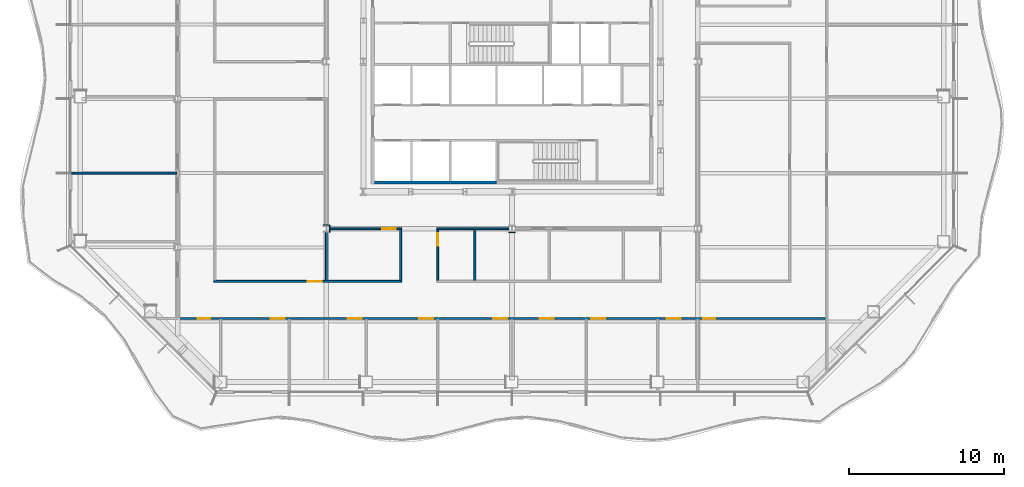
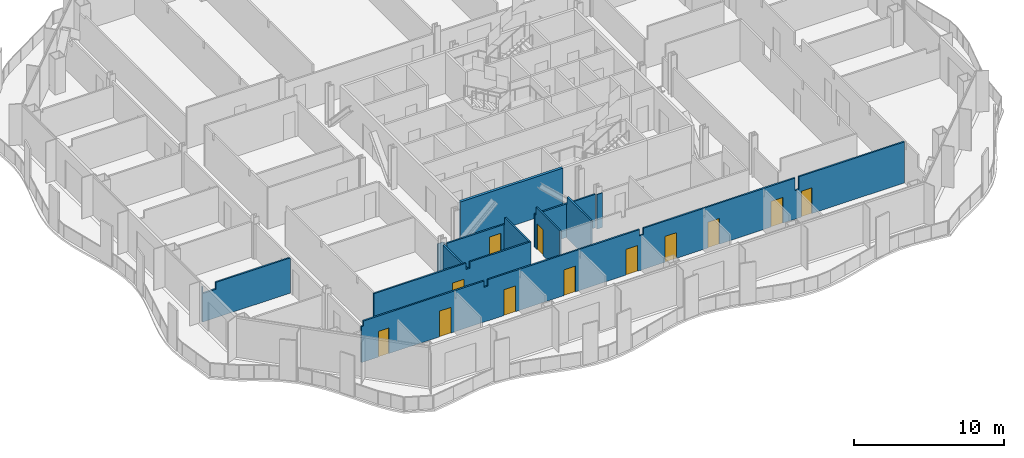
# One storey, part 8 of 23: 13 walls, 12 doors, 12 openings.
"""IFC4 building model written with IfcOpenShell, lengths in metres."""

from ifc_helpers import new_model, si_unit, direction, frame, frame_2d, origin, place, context, subcontext, project, spatial, polyline, rectangle, outline, extrude, material, layer, layer_set, type_object, element, fill, save


model = new_model("IFC4")

# Units and contexts
model_context = context("Model", 3, precision=1e-05, world=origin(), true_north=direction((0.0, 1.0)))
body_context = subcontext(model_context, "Body", "Model", "MODEL_VIEW")
ifc_project = project(units=[si_unit("LENGTHUNIT", "METRE"), si_unit("AREAUNIT", "SQUARE_METRE"), si_unit("VOLUMEUNIT", "CUBIC_METRE"), si_unit("PLANEANGLEUNIT", "RADIAN"), si_unit("MASSUNIT", "GRAM", prefix="KILO")], contexts=[model_context])

# Site, building, storey
site_placement = place(None, origin())
site = spatial("IfcSite", under=ifc_project, at=site_placement, CompositionType="ELEMENT")
building_placement = place(site_placement, origin())
building = spatial("IfcBuilding", under=site, at=building_placement, Name="Cairn Pilgrim Tower", CompositionType="ELEMENT")
storey_placement = place(building_placement, frame((0.0, 0.0, 115.800048828125)))
storey = spatial("IfcBuildingStorey", under=building, at=storey_placement, Name="L28", CompositionType="ELEMENT", Elevation=115.800048828125)

# Wall
ifc_material_1 = material(Name="Concrete C32/40", Category="concrete")
ifc_layer_1 = layer(ifc_material_1, 0.199951171875)
ifc_layer_set_1 = layer_set([ifc_layer_1], Name="CORE OUTER WALL 200 EI 120")
wall_type_1 = type_object("IfcWallType", Name="CORE OUTER WALL 200 EI 120", PredefinedType="SOLIDWALL", material=ifc_layer_set_1)
wall_1_placement = place(storey_placement, frame((-1.699951171875, -5.39990234375, 0.0), z_axis=(0.0, 0.0, 1.0), x_axis=(1.0, 0.0, 0.0)))
element("IfcWall", 1, at=wall_1_placement, inside=storey, type_object=wall_type_1, Name="CW:L28:H01-1", PredefinedType="SOLIDWALL", context=body_context, shape_type="SweptSolid", body=[
    extrude(rectangle(XDim=7.89990234375, YDim=0.199951171875, at=frame_2d((3.949951171875, 0.0))), origin(), (0.0, 0.0, 1.0), 3.349853515625),
])

# Wall, openings, doors
ifc_material_2 = material(Name="Gypsum partition")
ifc_layer_2 = layer(ifc_material_2, 0.125)
ifc_layer_set_2 = layer_set([ifc_layer_2], Name="PARTITION 125 DRYWALL EI 60")
wall_type_2 = type_object("IfcWallType", Name="PARTITION 125 DRYWALL EI 60", PredefinedType="PARTITIONING", material=ifc_layer_set_2)
wall_2_placement = place(storey_placement, frame((-14.39990234375, -14.199951171875, 0.0), z_axis=(0.0, 0.0, 1.0), x_axis=(1.0, 0.0, 0.0)))
wall_2 = element("IfcWall", 2, at=wall_2_placement, inside=storey, type_object=wall_type_2, Name="PARTITION W015", PredefinedType="PARTITIONING", context=body_context, shape_type="SweptSolid", body=[
    extrude(outline(polyline([(0.0, 0.0), (41.887451171875, 0.0), (41.887451171875, 3.349853515625), (33.7509765625, 3.349853515625), (33.7490234375, 2.322021484375), (33.448974609375, 2.322021484375), (33.447021484375, 3.349853515625), (21.75, 3.349853515625), (21.748046875, 2.829833984375), (21.449951171875, 2.829833984375), (21.447998046875, 3.349853515625), (9.75, 3.349853515625), (9.748046875, 2.829833984375), (9.449951171875, 2.829833984375), (9.447998046875, 3.349853515625), (0.14990234375, 3.349853515625), (0.14794921875, 2.929931640625), (0.0, 2.929931640625), (0.0, 0.0)])), frame((0.0, 0.0625, 0.0), z_axis=(0.0, -1.0, 0.0), x_axis=(1.0, 0.0, 0.0)), (0.0, 0.0, 1.0), 0.125),
])
opening_1_placement = place(wall_2_placement, frame((1.300048828125, 0.0, 0.0)))
opening_1 = element("IfcOpeningElement", 3, at=opening_1_placement, cuts=wall_2, Name="Opening 2801", PredefinedType="OPENING", context=body_context, shape_type="SweptSolid", body=[
    extrude(rectangle(XDim=0.800048828125, YDim=2.10009765625, at=frame_2d((0.39990234375, 1.050048828125))), frame((0.0, 0.072509765625, 0.0), z_axis=(0.0, -1.0, 0.0), x_axis=(1.0, 0.0, 0.0)), (0.0, 0.0, 1.0), 0.14501953125),
])
opening_2_placement = place(wall_2_placement, frame((6.0, 0.0, 0.0)))
opening_2 = element("IfcOpeningElement", 4, at=opening_2_placement, cuts=wall_2, Name="Opening 2802", PredefinedType="OPENING", context=body_context, shape_type="SweptSolid", body=[
    extrude(rectangle(XDim=0.89990234375, YDim=2.10009765625, at=frame_2d((0.449951171875, 1.050048828125))), frame((0.0, 0.072509765625, 0.0), z_axis=(0.0, -1.0, 0.0), x_axis=(1.0, 0.0, 0.0)), (0.0, 0.0, 1.0), 0.14501953125),
])
opening_3_placement = place(wall_2_placement, frame((10.986083984375, 0.0, 0.0)))
opening_3 = element("IfcOpeningElement", 5, at=opening_3_placement, cuts=wall_2, Name="Opening 2803", PredefinedType="OPENING", context=body_context, shape_type="SweptSolid", body=[
    extrude(rectangle(XDim=0.89990234375, YDim=2.10009765625, at=frame_2d((0.449951171875, 1.050048828125))), frame((0.0, 0.072509765625, 0.0), z_axis=(0.0, -1.0, 0.0), x_axis=(1.0, 0.0, 0.0)), (0.0, 0.0, 1.0), 0.14501953125),
])
opening_4_placement = place(wall_2_placement, frame((15.60009765625, 0.0, 0.0)))
opening_4 = element("IfcOpeningElement", 6, at=opening_4_placement, cuts=wall_2, Name="Opening 2804", PredefinedType="OPENING", context=body_context, shape_type="SweptSolid", body=[
    extrude(rectangle(XDim=0.89990234375, YDim=2.10009765625, at=frame_2d((0.449951171875, 1.050048828125))), frame((0.0, 0.072509765625, 0.0), z_axis=(0.0, -1.0, 0.0), x_axis=(1.0, 0.0, 0.0)), (0.0, 0.0, 1.0), 0.14501953125),
])
opening_5_placement = place(wall_2_placement, frame((20.39990234375, 0.0, 0.0)))
opening_5 = element("IfcOpeningElement", 7, at=opening_5_placement, cuts=wall_2, Name="Opening 2805", PredefinedType="OPENING", context=body_context, shape_type="SweptSolid", body=[
    extrude(rectangle(XDim=0.89990234375, YDim=2.10009765625, at=frame_2d((0.449951171875, 1.050048828125))), frame((0.0, 0.072509765625, 0.0), z_axis=(0.0, -1.0, 0.0), x_axis=(1.0, 0.0, 0.0)), (0.0, 0.0, 1.0), 0.14501953125),
])
opening_6_placement = place(wall_2_placement, frame((23.39990234375, 0.0, 0.0)))
opening_6 = element("IfcOpeningElement", 8, at=opening_6_placement, cuts=wall_2, Name="Opening 2806", PredefinedType="OPENING", context=body_context, shape_type="SweptSolid", body=[
    extrude(rectangle(XDim=0.89990234375, YDim=2.10009765625, at=frame_2d((0.449951171875, 1.050048828125))), frame((0.0, 0.072509765625, 0.0), z_axis=(0.0, -1.0, 0.0), x_axis=(1.0, 0.0, 0.0)), (0.0, 0.0, 1.0), 0.14501953125),
])
opening_7_placement = place(wall_2_placement, frame((26.714111328125, 0.0, 0.0)))
opening_7 = element("IfcOpeningElement", 9, at=opening_7_placement, cuts=wall_2, Name="Opening 2807", PredefinedType="OPENING", context=body_context, shape_type="SweptSolid", body=[
    extrude(rectangle(XDim=0.89990234375, YDim=2.10009765625, at=frame_2d((0.449951171875, 1.050048828125))), frame((0.0, 0.072509765625, 0.0), z_axis=(0.0, -1.0, 0.0), x_axis=(1.0, 0.0, 0.0)), (0.0, 0.0, 1.0), 0.14501953125),
])
opening_8_placement = place(wall_2_placement, frame((31.60009765625, 0.0, 0.0)))
opening_8 = element("IfcOpeningElement", 10, at=opening_8_placement, cuts=wall_2, Name="Opening 2808", PredefinedType="OPENING", context=body_context, shape_type="SweptSolid", body=[
    extrude(rectangle(XDim=0.89990234375, YDim=2.10009765625, at=frame_2d((0.449951171875, 1.050048828125))), frame((0.0, 0.072509765625, 0.0), z_axis=(0.0, -1.0, 0.0), x_axis=(1.0, 0.0, 0.0)), (0.0, 0.0, 1.0), 0.14501953125),
])
opening_9_placement = place(wall_2_placement, frame((33.949951171875, 0.0, 0.0)))
opening_9 = element("IfcOpeningElement", 11, at=opening_9_placement, cuts=wall_2, Name="Opening 2831", PredefinedType="OPENING", context=body_context, shape_type="SweptSolid", body=[
    extrude(rectangle(XDim=0.800048828125, YDim=2.10009765625, at=frame_2d((0.39990234375, 1.050048828125))), frame((0.0, 0.072509765625, 0.0), z_axis=(0.0, -1.0, 0.0), x_axis=(1.0, 0.0, 0.0)), (0.0, 0.0, 1.0), 0.14501953125),
])
ifc_material_3 = material(Name="Steel-faced fire door leaf", Category="steel")
door_type_1 = type_object("IfcDoorType", Name="FIRE DOOR 800x2100 FD30S", OperationType="NOTDEFINED", PredefinedType="DOOR", material=ifc_material_3)
door_1_placement = place(opening_1_placement, frame((0.800048828125, 0.0, 0.0), z_axis=(0.0, 0.0, 1.0), x_axis=(-1.0, 0.0, 0.0)))
door_1 = element("IfcDoor", 12, at=door_1_placement, inside=storey, type_object=door_type_1, Name="DOOR 2801", OperationType="SINGLE_SWING_RIGHT", OverallHeight=2.10009765625, OverallWidth=0.800048828125, PredefinedType="DOOR", context=body_context, shape_type="SweptSolid", body=[
    extrude(rectangle(XDim=0.800048828125, YDim=2.10009765625, at=frame_2d((0.39990234375, 1.050048828125))), frame((0.0, 0.02490234375, 0.0), z_axis=(0.0, -1.0, 0.0), x_axis=(1.0, 0.0, 0.0)), (0.0, 0.0, 1.0), 0.050048828125),
])
fill(opening_1, door_1)
door_2_placement = place(opening_9_placement, frame((0.800048828125, 0.0, 0.0), z_axis=(0.0, 0.0, 1.0), x_axis=(-1.0, 0.0, 0.0)))
door_2 = element("IfcDoor", 13, at=door_2_placement, inside=storey, type_object=door_type_1, Name="DOOR 2831", OperationType="SINGLE_SWING_RIGHT", OverallHeight=2.10009765625, OverallWidth=0.800048828125, PredefinedType="DOOR", context=body_context, shape_type="SweptSolid", body=[
    extrude(rectangle(XDim=0.800048828125, YDim=2.10009765625, at=frame_2d((0.39990234375, 1.050048828125))), frame((0.0, 0.02490234375, 0.0), z_axis=(0.0, -1.0, 0.0), x_axis=(1.0, 0.0, 0.0)), (0.0, 0.0, 1.0), 0.050048828125),
])
fill(opening_9, door_2)
door_type_2 = type_object("IfcDoorType", Name="FIRE DOOR 900x2100 FD30S", OperationType="NOTDEFINED", PredefinedType="DOOR", material=ifc_material_3)
door_3_placement = place(opening_2_placement, frame((0.89990234375, 0.0, 0.0), z_axis=(0.0, 0.0, 1.0), x_axis=(-1.0, 0.0, 0.0)))
door_3 = element("IfcDoor", 14, at=door_3_placement, inside=storey, type_object=door_type_2, Name="DOOR 2802", OperationType="SINGLE_SWING_LEFT", OverallHeight=2.10009765625, OverallWidth=0.89990234375, PredefinedType="DOOR", context=body_context, shape_type="SweptSolid", body=[
    extrude(rectangle(XDim=0.89990234375, YDim=2.10009765625, at=frame_2d((0.449951171875, 1.050048828125))), frame((0.0, 0.02490234375, 0.0), z_axis=(0.0, -1.0, 0.0), x_axis=(1.0, 0.0, 0.0)), (0.0, 0.0, 1.0), 0.050048828125),
])
fill(opening_2, door_3)
door_4_placement = place(opening_3_placement, frame((0.89990234375, 0.0, 0.0), z_axis=(0.0, 0.0, 1.0), x_axis=(-1.0, 0.0, 0.0)))
door_4 = element("IfcDoor", 15, at=door_4_placement, inside=storey, type_object=door_type_2, Name="DOOR 2803", OperationType="SINGLE_SWING_RIGHT", OverallHeight=2.10009765625, OverallWidth=0.89990234375, PredefinedType="DOOR", context=body_context, shape_type="SweptSolid", body=[
    extrude(rectangle(XDim=0.89990234375, YDim=2.10009765625, at=frame_2d((0.449951171875, 1.050048828125))), frame((0.0, 0.02490234375, 0.0), z_axis=(0.0, -1.0, 0.0), x_axis=(1.0, 0.0, 0.0)), (0.0, 0.0, 1.0), 0.050048828125),
])
fill(opening_3, door_4)
door_5_placement = place(opening_4_placement, frame((0.89990234375, 0.0, 0.0), z_axis=(0.0, 0.0, 1.0), x_axis=(-1.0, 0.0, 0.0)))
door_5 = element("IfcDoor", 16, at=door_5_placement, inside=storey, type_object=door_type_2, Name="DOOR 2804", OperationType="SINGLE_SWING_LEFT", OverallHeight=2.10009765625, OverallWidth=0.89990234375, PredefinedType="DOOR", context=body_context, shape_type="SweptSolid", body=[
    extrude(rectangle(XDim=0.89990234375, YDim=2.10009765625, at=frame_2d((0.449951171875, 1.050048828125))), frame((0.0, 0.02490234375, 0.0), z_axis=(0.0, -1.0, 0.0), x_axis=(1.0, 0.0, 0.0)), (0.0, 0.0, 1.0), 0.050048828125),
])
fill(opening_4, door_5)
door_6_placement = place(opening_5_placement, frame((0.89990234375, 0.0, 0.0), z_axis=(0.0, 0.0, 1.0), x_axis=(-1.0, 0.0, 0.0)))
door_6 = element("IfcDoor", 17, at=door_6_placement, inside=storey, type_object=door_type_2, Name="DOOR 2805", OperationType="SINGLE_SWING_RIGHT", OverallHeight=2.10009765625, OverallWidth=0.89990234375, PredefinedType="DOOR", context=body_context, shape_type="SweptSolid", body=[
    extrude(rectangle(XDim=0.89990234375, YDim=2.10009765625, at=frame_2d((0.449951171875, 1.050048828125))), frame((0.0, 0.02490234375, 0.0), z_axis=(0.0, -1.0, 0.0), x_axis=(1.0, 0.0, 0.0)), (0.0, 0.0, 1.0), 0.050048828125),
])
fill(opening_5, door_6)
door_7_placement = place(opening_6_placement, frame((0.89990234375, 0.0, 0.0), z_axis=(0.0, 0.0, 1.0), x_axis=(-1.0, 0.0, 0.0)))
door_7 = element("IfcDoor", 18, at=door_7_placement, inside=storey, type_object=door_type_2, Name="DOOR 2806", OperationType="SINGLE_SWING_LEFT", OverallHeight=2.10009765625, OverallWidth=0.89990234375, PredefinedType="DOOR", context=body_context, shape_type="SweptSolid", body=[
    extrude(rectangle(XDim=0.89990234375, YDim=2.10009765625, at=frame_2d((0.449951171875, 1.050048828125))), frame((0.0, 0.02490234375, 0.0), z_axis=(0.0, -1.0, 0.0), x_axis=(1.0, 0.0, 0.0)), (0.0, 0.0, 1.0), 0.050048828125),
])
fill(opening_6, door_7)
door_8_placement = place(opening_7_placement, frame((0.89990234375, 0.0, 0.0), z_axis=(0.0, 0.0, 1.0), x_axis=(-1.0, 0.0, 0.0)))
door_8 = element("IfcDoor", 19, at=door_8_placement, inside=storey, type_object=door_type_2, Name="DOOR 2807", OperationType="SINGLE_SWING_RIGHT", OverallHeight=2.10009765625, OverallWidth=0.89990234375, PredefinedType="DOOR", context=body_context, shape_type="SweptSolid", body=[
    extrude(rectangle(XDim=0.89990234375, YDim=2.10009765625, at=frame_2d((0.449951171875, 1.050048828125))), frame((0.0, 0.02490234375, 0.0), z_axis=(0.0, -1.0, 0.0), x_axis=(1.0, 0.0, 0.0)), (0.0, 0.0, 1.0), 0.050048828125),
])
fill(opening_7, door_8)
door_9_placement = place(opening_8_placement, frame((0.89990234375, 0.0, 0.0), z_axis=(0.0, 0.0, 1.0), x_axis=(-1.0, 0.0, 0.0)))
door_9 = element("IfcDoor", 20, at=door_9_placement, inside=storey, type_object=door_type_2, Name="DOOR 2808", OperationType="SINGLE_SWING_LEFT", OverallHeight=2.10009765625, OverallWidth=0.89990234375, PredefinedType="DOOR", context=body_context, shape_type="SweptSolid", body=[
    extrude(rectangle(XDim=0.89990234375, YDim=2.10009765625, at=frame_2d((0.449951171875, 1.050048828125))), frame((0.0, 0.02490234375, 0.0), z_axis=(0.0, -1.0, 0.0), x_axis=(1.0, 0.0, 0.0)), (0.0, 0.0, 1.0), 0.050048828125),
])
fill(opening_8, door_9)

# Wall, opening, door
wall_3_placement = place(storey_placement, frame((-12.0625, -11.800048828125, 0.0), z_axis=(0.0, 0.0, 1.0), x_axis=(1.0, 0.0, 0.0)))
wall_3 = element("IfcWall", 21, at=wall_3_placement, inside=storey, type_object=wall_type_2, Name="PARTITION W018", PredefinedType="PARTITIONING", context=body_context, shape_type="SweptSolid", body=[
    extrude(outline(polyline([(0.0, 0.0), (12.125, 0.0), (12.125, 3.349853515625), (7.41259765625, 3.349853515625), (7.410400390625, 2.829833984375), (7.112548828125, 2.829833984375), (7.110595703125, 3.349853515625), (0.0, 3.349853515625), (0.0, 0.0)])), frame((0.0, 0.0625, 0.0), z_axis=(0.0, -1.0, 0.0), x_axis=(1.0, 0.0, 0.0)), (0.0, 0.0, 1.0), 0.125),
])
opening_10_placement = place(wall_3_placement, frame((6.0625, 0.0, 0.0)))
opening_10 = element("IfcOpeningElement", 22, at=opening_10_placement, cuts=wall_3, Name="Opening 2832", PredefinedType="OPENING", context=body_context, shape_type="SweptSolid", body=[
    extrude(rectangle(XDim=0.89990234375, YDim=2.10009765625, at=frame_2d((0.449951171875, 1.050048828125))), frame((0.0, 0.072509765625, 0.0), z_axis=(0.0, -1.0, 0.0), x_axis=(1.0, 0.0, 0.0)), (0.0, 0.0, 1.0), 0.14501953125),
])
door_10_placement = place(opening_10_placement, origin())
door_10 = element("IfcDoor", 23, at=door_10_placement, inside=storey, type_object=door_type_2, Name="DOOR 2832", OperationType="SINGLE_SWING_LEFT", OverallHeight=2.10009765625, OverallWidth=0.89990234375, PredefinedType="DOOR", context=body_context, shape_type="SweptSolid", body=[
    extrude(rectangle(XDim=0.89990234375, YDim=2.10009765625, at=frame_2d((0.449951171875, 1.050048828125))), frame((0.0, 0.02490234375, 0.0), z_axis=(0.0, -1.0, 0.0), x_axis=(1.0, 0.0, 0.0)), (0.0, 0.0, 1.0), 0.050048828125),
])
fill(opening_10, door_10)

# Walls
wall_4_placement = place(storey_placement, frame((-4.800048828125, -11.737548828125, 0.0), z_axis=(0.0, 0.0, 1.0), x_axis=(0.0, 1.0, 0.0)))
element("IfcWall", 24, at=wall_4_placement, inside=storey, type_object=wall_type_2, Name="PARTITION W022", PredefinedType="PARTITIONING", context=body_context, shape_type="SweptSolid", body=[
    extrude(rectangle(XDim=3.125, YDim=0.125, at=frame_2d((1.5625, 0.0))), origin(), (0.0, 0.0, 1.0), 2.829833984375),
])
wall_5_placement = place(storey_placement, frame((0.0, -11.737548828125, 0.0), z_axis=(0.0, 0.0, 1.0), x_axis=(0.0, 1.0, 0.0)))
element("IfcWall", 25, at=wall_5_placement, inside=storey, type_object=wall_type_2, Name="PARTITION W023", PredefinedType="PARTITIONING", context=body_context, shape_type="SweptSolid", body=[
    extrude(outline(polyline([(0.0, 0.0), (3.275146484375, 0.0), (3.27490234375, 2.72998046875), (3.1875, 2.72998046875), (3.185546875, 3.349853515625), (0.0, 3.349853515625), (0.0, 0.0)])), frame((0.0, 0.0625, 0.0), z_axis=(0.0, -1.0, 0.0), x_axis=(1.0, 0.0, 0.0)), (0.0, 0.0, 1.0), 0.125),
])

# Wall, opening, door
wall_6_placement = place(storey_placement, frame((2.39990234375, -11.737548828125, 0.0), z_axis=(0.0, 0.0, 1.0), x_axis=(0.0, 1.0, 0.0)))
wall_6 = element("IfcWall", 26, at=wall_6_placement, inside=storey, type_object=wall_type_2, Name="PARTITION W024", PredefinedType="PARTITIONING", context=body_context, shape_type="SweptSolid", body=[
    extrude(outline(polyline([(0.0, 0.0), (3.275146484375, 0.0), (3.27490234375, 2.72998046875), (3.1875, 2.72998046875), (3.185546875, 3.349853515625), (0.0, 3.349853515625), (0.0, 0.0)])), frame((0.0, 0.0625, 0.0), z_axis=(0.0, -1.0, 0.0), x_axis=(1.0, 0.0, 0.0)), (0.0, 0.0, 1.0), 0.125),
])
opening_11_placement = place(wall_6_placement, frame((2.237548828125, 0.0, 0.0)))
opening_11 = element("IfcOpeningElement", 27, at=opening_11_placement, cuts=wall_6, Name="Opening 2837", PredefinedType="OPENING", context=body_context, shape_type="SweptSolid", body=[
    extrude(rectangle(XDim=0.800048828125, YDim=2.10009765625, at=frame_2d((0.39990234375, 1.050048828125))), frame((0.0, 0.072509765625, 0.0), z_axis=(0.0, -1.0, 0.0), x_axis=(1.0, 0.0, 0.0)), (0.0, 0.0, 1.0), 0.14501953125),
])
door_11_placement = place(opening_11_placement, frame((0.800048828125, 0.0, 0.0), z_axis=(0.0, 0.0, 1.0), x_axis=(-1.0, 0.0, 0.0)))
door_11 = element("IfcDoor", 28, at=door_11_placement, inside=storey, type_object=door_type_1, Name="DOOR 2837", OperationType="SINGLE_SWING_RIGHT", OverallHeight=2.10009765625, OverallWidth=0.800048828125, PredefinedType="DOOR", context=body_context, shape_type="SweptSolid", body=[
    extrude(rectangle(XDim=0.800048828125, YDim=2.10009765625, at=frame_2d((0.39990234375, 1.050048828125))), frame((0.0, 0.02490234375, 0.0), z_axis=(0.0, -1.0, 0.0), x_axis=(1.0, 0.0, 0.0)), (0.0, 0.0, 1.0), 0.050048828125),
])
fill(opening_11, door_11)

# Wall
wall_7_placement = place(storey_placement, frame((4.800048828125, -11.737548828125, 0.0), z_axis=(0.0, 0.0, 1.0), x_axis=(0.0, 1.0, 0.0)))
element("IfcWall", 29, at=wall_7_placement, inside=storey, type_object=wall_type_2, Name="PARTITION W025", PredefinedType="PARTITIONING", context=body_context, shape_type="SweptSolid", body=[
    extrude(outline(polyline([(0.0, 0.0), (3.275146484375, 0.0), (3.27490234375, 2.72998046875), (3.1875, 2.72998046875), (3.185546875, 3.349853515625), (0.0, 3.349853515625), (0.0, 0.0)])), frame((0.0, 0.0625, 0.0), z_axis=(0.0, -1.0, 0.0), x_axis=(1.0, 0.0, 0.0)), (0.0, 0.0, 1.0), 0.125),
])

# Wall, opening, door
wall_8_placement = place(storey_placement, frame((-4.595458984375, -8.39990234375, 0.0), z_axis=(0.0, 0.0, 1.0), x_axis=(1.0, 0.0, 0.0)))
wall_8 = element("IfcWall", 30, at=wall_8_placement, inside=storey, type_object=wall_type_2, Name="PARTITION W034", PredefinedType="PARTITIONING", context=body_context, shape_type="SweptSolid", body=[
    extrude(rectangle(XDim=4.657958984375, YDim=0.125, at=frame_2d((2.3291015625, 0.0))), origin(), (0.0, 0.0, 1.0), 2.72998046875),
])
opening_12_placement = place(wall_8_placement, frame((3.3955078125, 0.0, 0.0)))
opening_12 = element("IfcOpeningElement", 31, at=opening_12_placement, cuts=wall_8, Name="Opening 2836", PredefinedType="OPENING", context=body_context, shape_type="SweptSolid", body=[
    extrude(rectangle(XDim=0.89990234375, YDim=2.10009765625, at=frame_2d((0.449951171875, 1.050048828125))), frame((0.0, 0.072509765625, 0.0), z_axis=(0.0, -1.0, 0.0), x_axis=(1.0, 0.0, 0.0)), (0.0, 0.0, 1.0), 0.14501953125),
])
door_12_placement = place(opening_12_placement, frame((0.89990234375, 0.0, 0.0), z_axis=(0.0, 0.0, 1.0), x_axis=(-1.0, 0.0, 0.0)))
door_12 = element("IfcDoor", 32, at=door_12_placement, inside=storey, type_object=door_type_2, Name="DOOR 2836", OperationType="SINGLE_SWING_LEFT", OverallHeight=2.10009765625, OverallWidth=0.89990234375, PredefinedType="DOOR", context=body_context, shape_type="SweptSolid", body=[
    extrude(rectangle(XDim=0.89990234375, YDim=2.10009765625, at=frame_2d((0.449951171875, 1.050048828125))), frame((0.0, 0.02490234375, 0.0), z_axis=(0.0, -1.0, 0.0), x_axis=(1.0, 0.0, 0.0)), (0.0, 0.0, 1.0), 0.050048828125),
])
fill(opening_12, door_12)

# Walls
wall_9_placement = place(storey_placement, frame((2.33740234375, -8.39990234375, 0.0), z_axis=(0.0, 0.0, 1.0), x_axis=(1.0, 0.0, 0.0)))
element("IfcWall", 33, at=wall_9_placement, inside=storey, type_object=wall_type_2, Name="PARTITION W035", PredefinedType="PARTITIONING", context=body_context, shape_type="SweptSolid", body=[
    extrude(rectangle(XDim=4.658203125, YDim=0.125, at=frame_2d((2.3291015625, 0.0))), origin(), (0.0, 0.0, 1.0), 2.72998046875),
])
wall_10_placement = place(storey_placement, frame((-21.25, -4.800048828125, 0.0), z_axis=(0.0, 0.0, 1.0), x_axis=(1.0, 0.0, 0.0)))
element("IfcWall", 34, at=wall_10_placement, inside=storey, type_object=wall_type_2, Name="PARTITION W039", PredefinedType="PARTITIONING", context=body_context, shape_type="SweptSolid", body=[
    extrude(outline(polyline([(0.0, 0.0), (6.78759765625, 0.0), (6.78759765625, 2.829833984375), (6.699951171875, 2.829833984375), (6.697998046875, 2.8798828125), (1.050048828125, 2.8798828125), (1.048095703125, 2.329833984375), (0.050048828125, 2.329833984375), (0.048095703125, 2.8798828125), (0.0, 2.8798828125), (0.0, 0.0)])), frame((0.0, 0.0625, 0.0), z_axis=(0.0, -1.0, 0.0), x_axis=(1.0, 0.0, 0.0)), (0.0, 0.0, 1.0), 0.125),
])
ifc_layer_3 = layer(ifc_material_2, 0.050048828125)
ifc_layer_set_3 = layer_set([ifc_layer_3], Name="PARTITION 50 DRYWALL EI 60")
wall_type_3 = type_object("IfcWallType", Name="PARTITION 50 DRYWALL EI 60", PredefinedType="PARTITIONING", material=ifc_layer_set_3)
wall_11_placement = place(storey_placement, frame((-4.570556640625, -8.612548828125, 0.0), z_axis=(0.0, 0.0, 1.0), x_axis=(0.0, 1.0, 0.0)))
element("IfcWall", 35, at=wall_11_placement, inside=storey, type_object=wall_type_3, Name="COLUMN CASING WC10", PredefinedType="PARTITIONING", context=body_context, shape_type="SweptSolid", body=[
    extrude(rectangle(XDim=0.425048828125, YDim=0.050048828125, at=frame_2d((0.21240234375, 0.0))), origin(), (0.0, 0.0, 1.0), 2.72998046875),
])
wall_12_placement = place(storey_placement, frame((-5.00439453125, -8.16259765625, 0.0), z_axis=(0.0, 0.0, 1.0), x_axis=(1.0, 0.0, 0.0)))
element("IfcWall", 36, at=wall_12_placement, inside=storey, type_object=wall_type_3, Name="COLUMN CASING WC14", PredefinedType="PARTITIONING", context=body_context, shape_type="SweptSolid", body=[
    extrude(rectangle(XDim=0.408935546875, YDim=0.050048828125, at=frame_2d((0.20458984375, 0.0))), origin(), (0.0, 0.0, 1.0), 2.72998046875),
])
wall_13_placement = place(storey_placement, frame((6.99560546875, -8.637451171875, 0.0), z_axis=(0.0, 0.0, 1.0), x_axis=(1.0, 0.0, 0.0)))
element("IfcWall", 37, at=wall_13_placement, inside=storey, type_object=wall_type_3, Name="COLUMN CASING WC15", PredefinedType="PARTITIONING", context=body_context, shape_type="SweptSolid", body=[
    extrude(rectangle(XDim=0.408935546875, YDim=0.050048828125, at=frame_2d((0.20458984375, 0.0))), origin(), (0.0, 0.0, 1.0), 2.829833984375),
])

save(model, "model.ifc")
